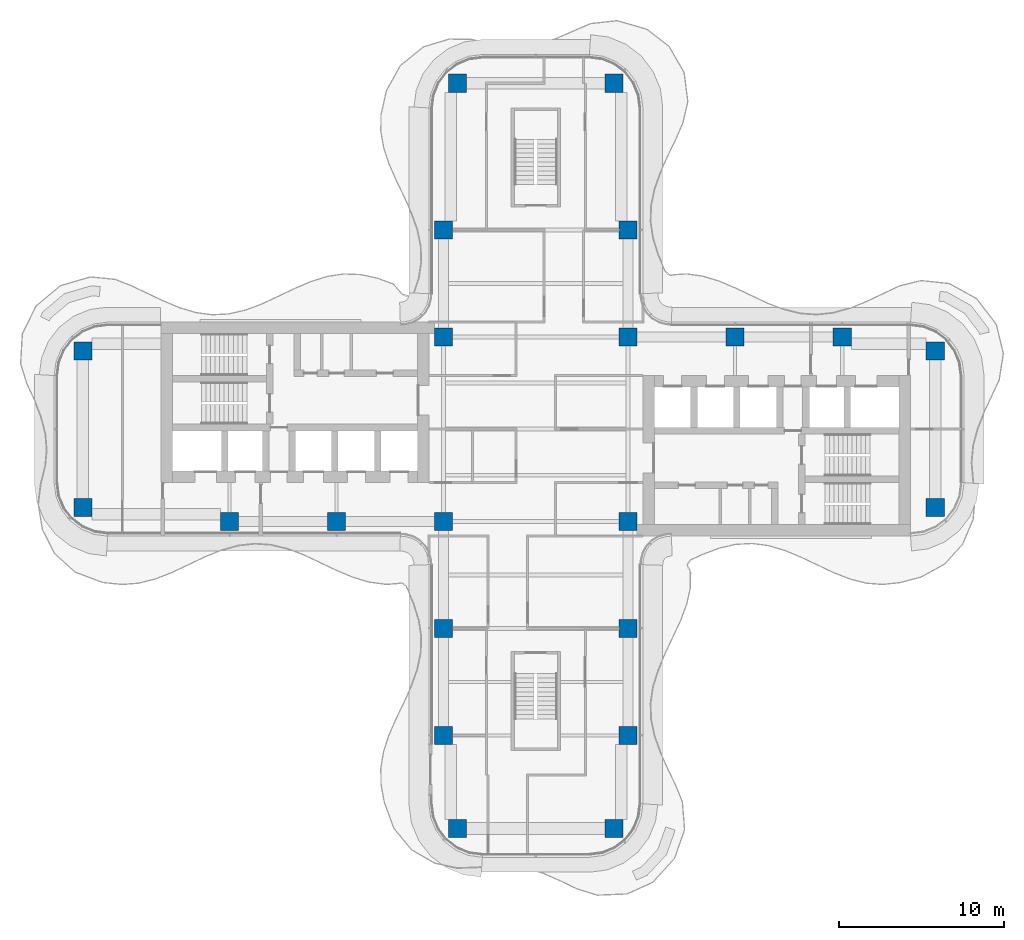
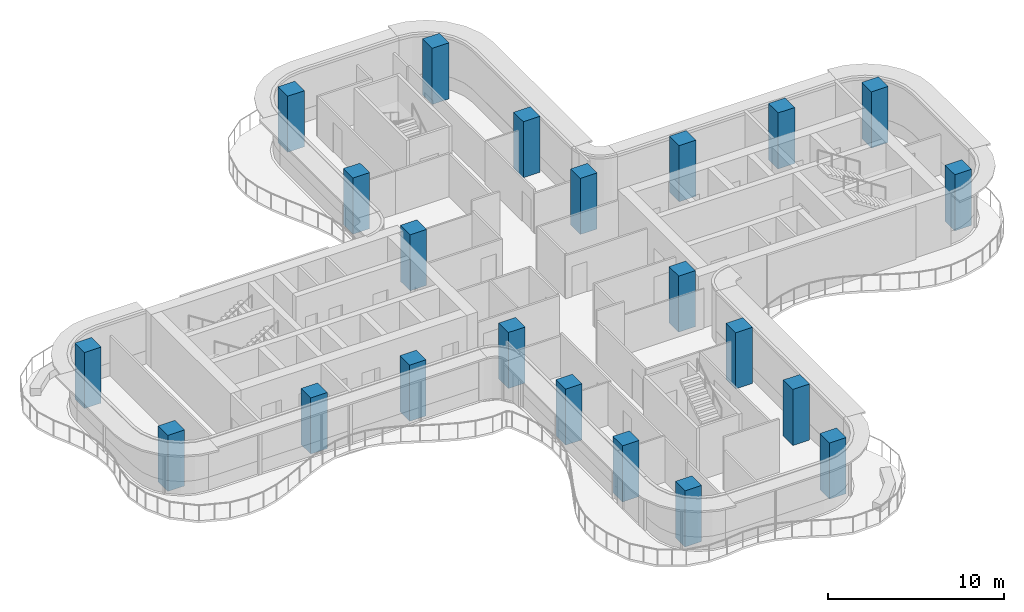
# One storey, part 1 of 17: 22 columns.
"""IFC4 building model written with IfcOpenShell, lengths in metres."""

import ifcopenshell
import ifcopenshell.guid

model = None  # the IFC model being written
_history = None  # IfcOwnerHistory: only IFC2X3 demands one
_inside = {}  # id of a spatial element -> (the spatial element, [elements in it])
_under = {}  # id of a project, library or spatial element -> (it, [spatial elements below it])
_declared = {}  # id of a project -> (the project, [libraries it declares])
_typed = {}  # id of a type object -> (the type object, [elements of that type])
_made_of = {}  # id of a material, layer set ... -> (it, [elements and type objects made of it])


def new_model(schema):
    """Start an empty IFC model of exactly this schema.

    Asked for "IFC4X3", IfcOpenShell would pick the latest addendum, in which some entities
    have other attributes; the version numbers below select the first issue.
    IFC2X3 requires an IfcOwnerHistory on every rooted entity: one is made here for all.
    """
    global model, _history
    if schema == "IFC4X3":
        model = ifcopenshell.file(schema_version=(4, 3, 0, 0))
    else:
        model = ifcopenshell.file(schema=schema)
    _inside.clear()
    _under.clear()
    _declared.clear()
    _typed.clear()
    _made_of.clear()
    _history = None
    if model.schema == "IFC2X3":
        org = make("IfcOrganization", Name="unknown")
        user = make(
            "IfcPersonAndOrganization",
            ThePerson=make("IfcPerson", FamilyName="unknown"),
            TheOrganization=org,
        )
        app = make(
            "IfcApplication",
            ApplicationDeveloper=org,
            Version="unknown",
            ApplicationFullName="unknown",
            ApplicationIdentifier="unknown",
        )
        _history = make(
            "IfcOwnerHistory",
            OwningUser=user,
            OwningApplication=app,
            ChangeAction="ADDED",
            CreationDate=0,
        )
    return model


def make(cls, **values):
    """One entity of the class cls with the attributes given. An attribute that is None is left unset."""
    return model.create_entity(
        cls, **{name: value for name, value in values.items() if value is not None}
    )


def rooted(cls, **values):
    """An entity with a GlobalId (a new one), such as an element, a storey or a relation."""
    return make(cls, GlobalId=ifcopenshell.guid.new(), OwnerHistory=_history, **values)


def si_unit(unit_type, name, prefix=None):
    """IfcSIUnit, for example si_unit("LENGTHUNIT", "METRE", prefix="MILLI")."""
    return make("IfcSIUnit", UnitType=unit_type, Prefix=prefix, Name=name)


def assignment(units):
    """IfcUnitAssignment: the units of a project."""
    return None if units is None else make("IfcUnitAssignment", Units=units)


def point(xyz):
    """IfcCartesianPoint."""
    return None if xyz is None else make("IfcCartesianPoint", Coordinates=xyz)


def direction(xyz):
    """IfcDirection."""
    return None if xyz is None else make("IfcDirection", DirectionRatios=xyz)


def frame(location, z_axis=None, x_axis=None):
    """IfcAxis2Placement3D, a coordinate frame: its origin and axes. An axis left out is left unset."""
    return make(
        "IfcAxis2Placement3D",
        Location=point(location),
        Axis=direction(z_axis),
        RefDirection=direction(x_axis),
    )


def frame_2d(location, x_axis=None):
    """IfcAxis2Placement2D, a coordinate frame in the plane: its origin and x axis."""
    return make(
        "IfcAxis2Placement2D", Location=point(location), RefDirection=direction(x_axis)
    )


def origin():
    """The frame at (0, 0, 0) with its axes left unset."""
    return frame((0.0, 0.0, 0.0))


def origin_2d():
    """The frame at (0, 0) in the plane with its x axis left unset."""
    return frame_2d((0.0, 0.0))


def place(relative_to, where):
    """IfcLocalPlacement: puts the frame where relative to a parent placement (None: the world)."""
    return make(
        "IfcLocalPlacement", PlacementRelTo=relative_to, RelativePlacement=where
    )


def context(
    kind, dimensions, precision=None, world=None, true_north=None, identifier=None
):
    """IfcGeometricRepresentationContext, for example the 3D "Model" context."""
    return make(
        "IfcGeometricRepresentationContext",
        ContextIdentifier=identifier,
        ContextType=kind,
        CoordinateSpaceDimension=dimensions,
        Precision=precision,
        WorldCoordinateSystem=world,
        TrueNorth=true_north,
    )


def subcontext(parent, identifier, kind, view, scale=None):
    """IfcGeometricRepresentationSubContext, for example "Body" below "Model"."""
    return make(
        "IfcGeometricRepresentationSubContext",
        ContextIdentifier=identifier,
        ContextType=kind,
        ParentContext=parent,
        TargetScale=scale,
        TargetView=view,
    )


def project(units=None, contexts=None):
    """IfcProject with its units and contexts."""
    return rooted(
        "IfcProject",
        Name="project",
        RepresentationContexts=contexts,
        UnitsInContext=assignment(units),
    )


def spatial(cls, under=None, at=None, **own):
    """A site, building, storey or space (cls), placed at a placement, below another one or the project."""
    s = rooted(cls, ObjectPlacement=at, **own)
    if under is not None:
        _under.setdefault(under.id(), (under, []))[1].append(s)
    return s


def profile(cls, at=None, kind="AREA", **sizes):
    """A parametric profile (cls). Its sizes go by their IFC names, for example OverallWidth=200.0."""
    return make(cls, ProfileType=kind, Position=at, **sizes)


def rectangle(**sizes):
    """IfcRectangleProfileDef."""
    return profile("IfcRectangleProfileDef", **sizes)


def extrude(swept, where, along, depth):
    """IfcExtrudedAreaSolid: the profile swept, set in the frame where, extruded along a direction by depth."""
    return make(
        "IfcExtrudedAreaSolid",
        SweptArea=swept,
        Position=where,
        ExtrudedDirection=direction(along),
        Depth=depth,
    )


def shape(context_of_items, identifier, shape_type, items):
    """IfcShapeRepresentation: the items that make up one representation, for example the "Body"."""
    return make(
        "IfcShapeRepresentation",
        ContextOfItems=context_of_items,
        RepresentationIdentifier=identifier,
        RepresentationType=shape_type,
        Items=items,
    )


def source(mapping_origin, context_of_items, identifier, shape_type, items):
    """IfcRepresentationMap: a shape defined once, which mapped items show again and again."""
    return make(
        "IfcRepresentationMap",
        MappingOrigin=mapping_origin,
        MappedRepresentation=shape(context_of_items, identifier, shape_type, items),
    )


def transform(
    local_origin,
    x_axis=None,
    y_axis=None,
    z_axis=None,
    scale=None,
    scale2=None,
    scale3=None,
    uniform=True,
):
    """IfcCartesianTransformationOperator3D, or its non-uniform kind. x_axis, y_axis, z_axis: its Axis1, 2, 3."""
    if uniform:
        return make(
            "IfcCartesianTransformationOperator3D",
            Axis1=direction(x_axis),
            Axis2=direction(y_axis),
            LocalOrigin=point(local_origin),
            Scale=scale,
            Axis3=direction(z_axis),
        )
    return make(
        "IfcCartesianTransformationOperator3DnonUniform",
        Axis1=direction(x_axis),
        Axis2=direction(y_axis),
        LocalOrigin=point(local_origin),
        Scale=scale,
        Axis3=direction(z_axis),
        Scale2=scale2,
        Scale3=scale3,
    )


def mapped(mapping_source, mapping_target):
    """IfcMappedItem: shows the shape of a source again, moved by a transform."""
    return make(
        "IfcMappedItem", MappingSource=mapping_source, MappingTarget=mapping_target
    )


def material(Name=None, Category=None):
    """IfcMaterial."""
    return make("IfcMaterial", Name=Name, Category=Category)


def material_profile(
    of_material, cross_section, Name=None, Category=None, Priority=None
):
    """IfcMaterialProfile: a cross section and its material."""
    return make(
        "IfcMaterialProfile",
        Name=Name,
        Material=of_material,
        Profile=cross_section,
        Priority=Priority,
        Category=Category,
    )


def profile_set(profiles, Name=None, composite=None):
    """IfcMaterialProfileSet."""
    return make(
        "IfcMaterialProfileSet",
        Name=Name,
        MaterialProfiles=profiles,
        CompositeProfile=composite,
    )


def made_of(thing, what):
    """Note that an element or type object is made of a material, layer set ...; save() writes the relation."""
    if what is not None:
        _made_of.setdefault(what.id(), (what, []))[1].append(thing)
    return thing


def type_object(cls, material=None, **own):
    """A type object (cls), such as IfcWallType, which elements share."""
    return made_of(rooted(cls, **own), material)


def element(
    cls,
    number,
    at=None,
    inside=None,
    cuts=None,
    type_object=None,
    material=None,
    context=None,
    identifier="Body",
    shape_type=None,
    held_by="IfcProductDefinitionShape",
    body=None,
    shapes=None,
    **own,
):
    """One element of the class cls, such as IfcWall. Its Tag is "e" and its number.

    at: its placement. inside: the storey or other place that contains it. cuts: it is an
    opening in that element (IfcRelVoidsElement). A single representation is given by context,
    identifier, shape_type and body (its items); several are given by shapes. held_by: the class
    of the entity that holds the representations. save() writes the other relations.
    """
    e = rooted(cls, Tag="e%d" % number, ObjectPlacement=at, **own)
    if body is not None:
        shapes = [shape(context, identifier, shape_type, body)]
    if shapes is not None:
        e.Representation = make(held_by, Representations=shapes)
    if inside is not None:
        _inside.setdefault(inside.id(), (inside, []))[1].append(e)
    if cuts is not None:
        rooted(
            "IfcRelVoidsElement", RelatingBuildingElement=cuts, RelatedOpeningElement=e
        )
    if type_object is not None:
        _typed.setdefault(type_object.id(), (type_object, []))[1].append(e)
    return made_of(e, material)


def aggregate(whole, parts):
    """IfcRelAggregates: a whole, such as a stair, and the parts it consists of."""
    return rooted("IfcRelAggregates", RelatingObject=whole, RelatedObjects=parts)


def save(model, path):
    """Write the relations noted so far, then the file.

    IfcRelAggregates (storeys below a building ...), IfcRelContainedInSpatialStructure (elements
    in a storey), IfcRelDefinesByType, IfcRelAssociatesMaterial and IfcRelDeclares: one each for
    every whole, place, type object, material and project.
    """
    for whole, parts in _under.values():
        aggregate(whole, parts)
    for where, things in _inside.values():
        rooted(
            "IfcRelContainedInSpatialStructure",
            RelatedElements=things,
            RelatingStructure=where,
        )
    for kind, things in _typed.values():
        rooted("IfcRelDefinesByType", RelatedObjects=things, RelatingType=kind)
    for what, things in _made_of.values():
        rooted("IfcRelAssociatesMaterial", RelatedObjects=things, RelatingMaterial=what)
    for by, libraries in _declared.values():
        rooted("IfcRelDeclares", RelatingContext=by, RelatedDefinitions=libraries)
    model.write(path)


model = new_model("IFC4")

# Units and contexts
model_context = context("Model", 3, precision=1e-05, world=origin(), true_north=direction((0.0, 1.0)))
body_context = subcontext(model_context, "Body", "Model", "MODEL_VIEW")
ifc_project = project(units=[si_unit("LENGTHUNIT", "METRE"), si_unit("AREAUNIT", "SQUARE_METRE"), si_unit("VOLUMEUNIT", "CUBIC_METRE"), si_unit("PLANEANGLEUNIT", "RADIAN"), si_unit("MASSUNIT", "GRAM", prefix="KILO")], contexts=[model_context])

# Site, building, storey
site_placement = place(None, origin())
site = spatial("IfcSite", under=ifc_project, at=site_placement, CompositionType="ELEMENT")
building_placement = place(site_placement, origin())
building = spatial("IfcBuilding", under=site, at=building_placement, Name="Trellis Farm Tower", CompositionType="ELEMENT")
storey_placement = place(building_placement, frame((0.0, 0.0, 240.199951171875)))
storey = spatial("IfcBuildingStorey", under=building, at=storey_placement, Name="L53", CompositionType="ELEMENT", Elevation=240.199951171875)

# Columns
ifc_material = material(Name="Concrete C60/75", Category="concrete")
ifc_material_profile = material_profile(ifc_material, rectangle(XDim=1.10009765625, YDim=1.10009765625, at=origin_2d()), Name="RC column 1100x1100 C60/75")
ifc_profile_set = profile_set([ifc_material_profile], Name="Concrete C60/75")
column_type = type_object("IfcColumnType", Name="RC column 1100x1100 C60/75", PredefinedType="COLUMN", material=ifc_profile_set)
shared_shape = source(origin(), body_context, "Body", "SweptSolid", [
    extrude(rectangle(XDim=1.10009765625, YDim=1.10009765625, at=origin_2d()), origin(), (0.0, 0.0, 1.0), 3.900146484375),
])
for number, where, z_axis, x_axis, name in (
    (1, (12.10009765625, 5.60009765625, 0.0), (0.0, 0.0, 1.0), (1.0, 0.0, 0.0), "Column"),
    (2, (18.60009765625, 5.60009765625, 0.0), (0.0, 0.0, 1.0), (1.0, 0.0, 0.0), "Column"),
    (3, (24.25, 4.75, 0.0), (0.0, 0.0, 1.0), (1.0, 0.0, 0.0), "Column"),
    (4, (24.25, -4.75, 0.0), (0.0, 0.0, 1.0), (1.0, 0.0, 0.0), "Column"),
    (5, (-5.60009765625, 12.10009765625, 0.0), (0.0, 0.0, 1.0), (1.0, 0.0, 0.0), "Column"),
    (6, (-4.75, 21.0, 0.0), (0.0, 0.0, 1.0), (1.0, 0.0, 0.0), "Column"),
    (7, (5.60009765625, 12.10009765625, 0.0), (0.0, 0.0, 1.0), (1.0, 0.0, 0.0), "Column"),
    (8, (4.75, 21.0, 0.0), (0.0, 0.0, 1.0), (1.0, 0.0, 0.0), "Column"),
    (9, (5.60009765625, 5.60009765625, 0.0), (0.0, 0.0, 1.0), (1.0, 0.0, 0.0), "Column"),
    (10, (-5.60009765625, 5.60009765625, 0.0), (0.0, 0.0, 1.0), (1.0, 0.0, 0.0), "Column"),
    (11, (5.60009765625, -5.60009765625, 0.0), (0.0, 0.0, 1.0), (1.0, 0.0, 0.0), "Column"),
    (12, (-5.60009765625, -5.60009765625, 0.0), (0.0, 0.0, 1.0), (1.0, 0.0, 0.0), "Column"),
    (13, (5.60009765625, -12.10009765625, 0.0), (0.0, 0.0, 1.0), (1.0, 0.0, 0.0), "Column"),
    (14, (5.60009765625, -18.60009765625, 0.0), (0.0, 0.0, 1.0), (1.0, 0.0, 0.0), "Column"),
    (15, (4.75, -24.25, 0.0), (0.0, 0.0, 1.0), (1.0, 0.0, 0.0), "Column"),
    (16, (-5.60009765625, -12.10009765625, 0.0), (0.0, 0.0, 1.0), (1.0, 0.0, 0.0), "Column"),
    (17, (-5.60009765625, -18.60009765625, 0.0), (0.0, 0.0, 1.0), (1.0, 0.0, 0.0), "Column"),
    (18, (-4.75, -24.25, 0.0), (0.0, 0.0, 1.0), (1.0, 0.0, 0.0), "Column"),
    (19, (-12.10009765625, -5.60009765625, 0.0), (0.0, 0.0, 1.0), (1.0, 0.0, 0.0), "Column"),
    (20, (-18.60009765625, -5.60009765625, 0.0), (0.0, 0.0, 1.0), (1.0, 0.0, 0.0), "Column"),
    (21, (-27.5, -4.75, 0.0), (0.0, 0.0, 1.0), (1.0, 0.0, 0.0), "Column"),
    (22, (-27.5, 4.75, 0.0), (0.0, 0.0, 1.0), (1.0, 0.0, 0.0), "Column"),
):
    element("IfcColumn", number, at=place(storey_placement, frame(where, z_axis=z_axis, x_axis=x_axis)), inside=storey, type_object=column_type, Name=name, PredefinedType="COLUMN", context=body_context, shape_type="MappedRepresentation", body=[
        mapped(shared_shape, transform((0.0, 0.0, 0.0))),
    ])

save(model, "model.ifc")
